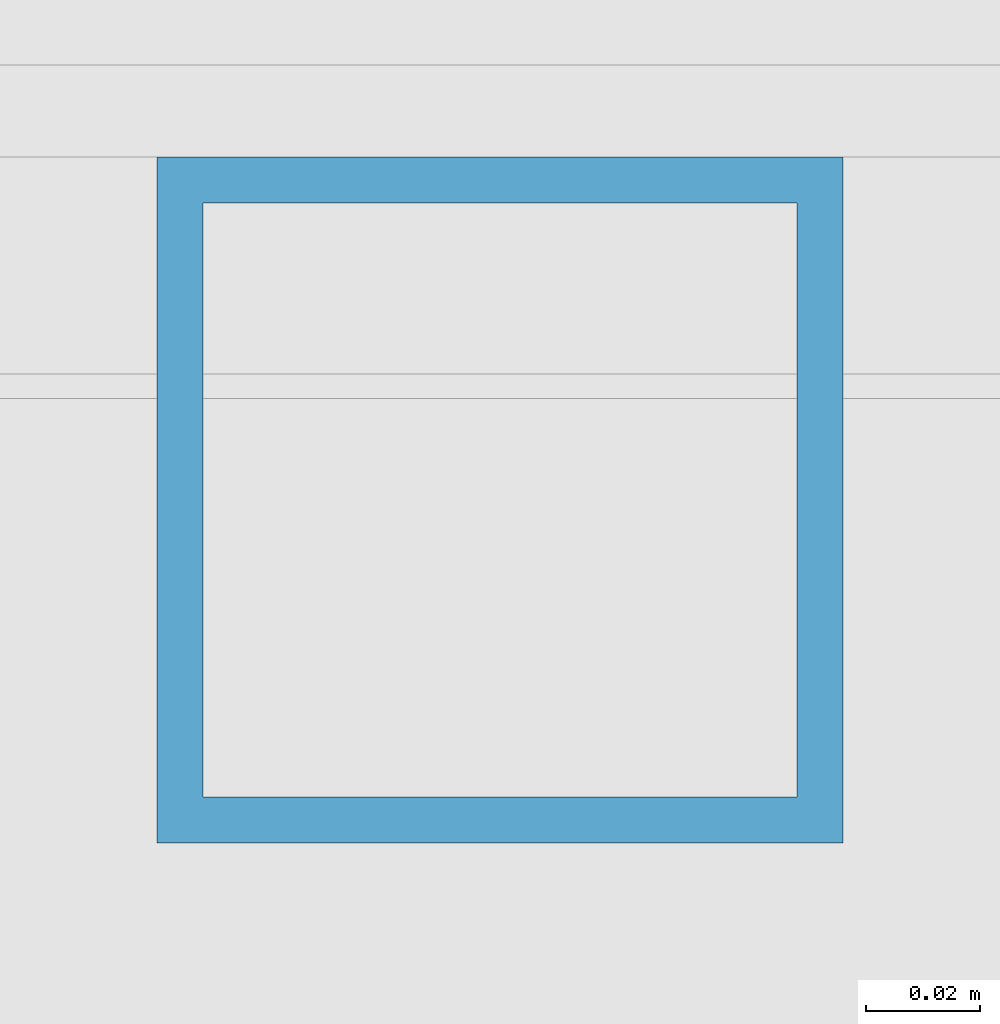
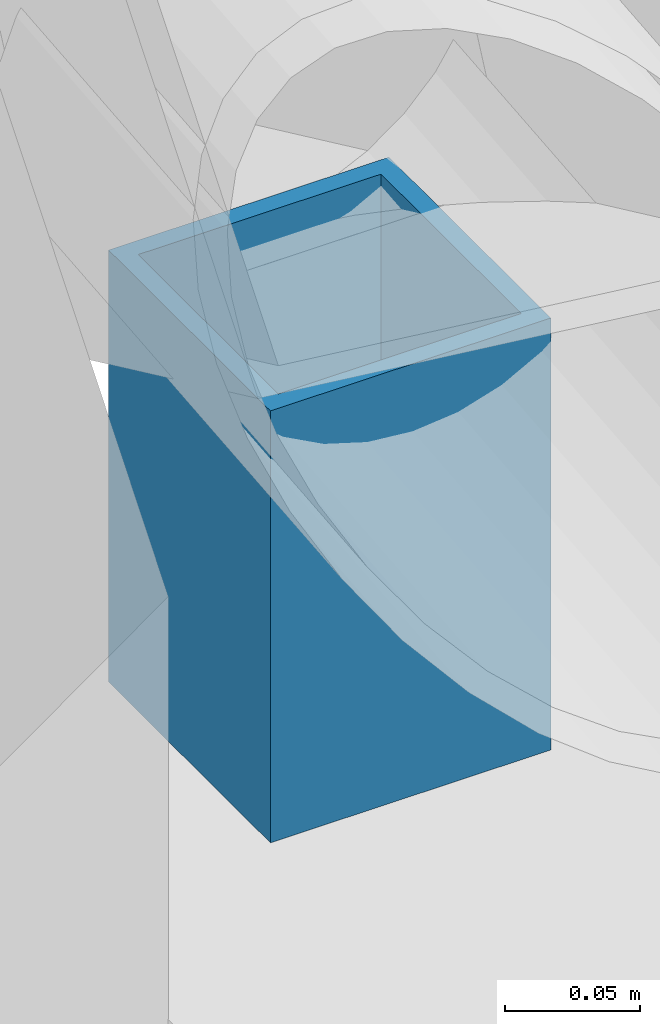
# One storey, part 80 of 154: 1 member.
"""IFC4 building model written with IfcOpenShell, lengths in metres."""

from ifc_helpers import new_model, si_unit, direction, frame, origin, origin_2d, place, context, subcontext, project, spatial, hollow_rectangle, extrude, material, material_profile, profile_set, type_object, element, save


model = new_model("IFC4")

# Units and contexts
model_context = context("Model", 3, precision=1e-05, world=origin(), true_north=direction((0.0, 1.0)))
body_context = subcontext(model_context, "Body", "Model", "MODEL_VIEW")
ifc_project = project(units=[si_unit("LENGTHUNIT", "METRE"), si_unit("AREAUNIT", "SQUARE_METRE"), si_unit("VOLUMEUNIT", "CUBIC_METRE"), si_unit("PLANEANGLEUNIT", "RADIAN"), si_unit("MASSUNIT", "GRAM", prefix="KILO")], contexts=[model_context])

# Site, building, storey
site_placement = place(None, origin())
site = spatial("IfcSite", under=ifc_project, at=site_placement, CompositionType="ELEMENT")
building_placement = place(site_placement, origin())
building = spatial("IfcBuilding", under=site, at=building_placement, Name="Golden Quay Civic Hall", CompositionType="ELEMENT")
storey_placement = place(building_placement, frame((0.0, 0.0, 14.39990234375)))
storey = spatial("IfcBuildingStorey", under=building, at=storey_placement, Name="L03", CompositionType="ELEMENT", Elevation=14.39990234375)

# Member
ifc_material = material(Name="Steel S355", Category="steel")
ifc_material_profile = material_profile(ifc_material, hollow_rectangle(XDim=0.1201171875, YDim=0.1201171875, WallThickness=0.008056640625, at=origin_2d()), Name="SHS 120x120x8")
ifc_profile_set = profile_set([ifc_material_profile], Name="Steel S355")
member_type = type_object("IfcMemberType", Name="Steel truss post SHS 120x120x8", PredefinedType="USERDEFINED", material=ifc_profile_set)
member_placement = place(storey_placement, frame((126.0, 98.93994140625, 0.050048828125), z_axis=(0.0, 0.0, 1.0), x_axis=(1.0, 0.0, 0.0)))
element("IfcMember", 1, at=member_placement, inside=storey, type_object=member_type, Name="Truss 126 post 9 L03", ObjectType="TRUSS POST", PredefinedType="USERDEFINED", context=body_context, shape_type="SweptSolid", body=[
    extrude(hollow_rectangle(XDim=0.1201171875, YDim=0.1201171875, WallThickness=0.008056640625, at=origin_2d()), origin(), (0.0, 0.0, 1.0), 0.195556640625),
])

save(model, "model.ifc")
